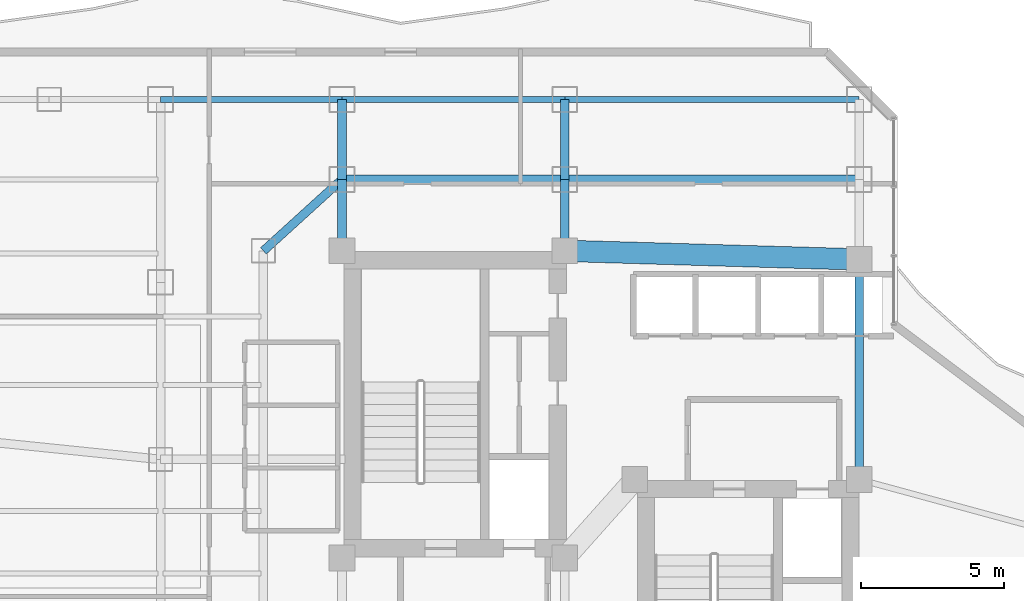
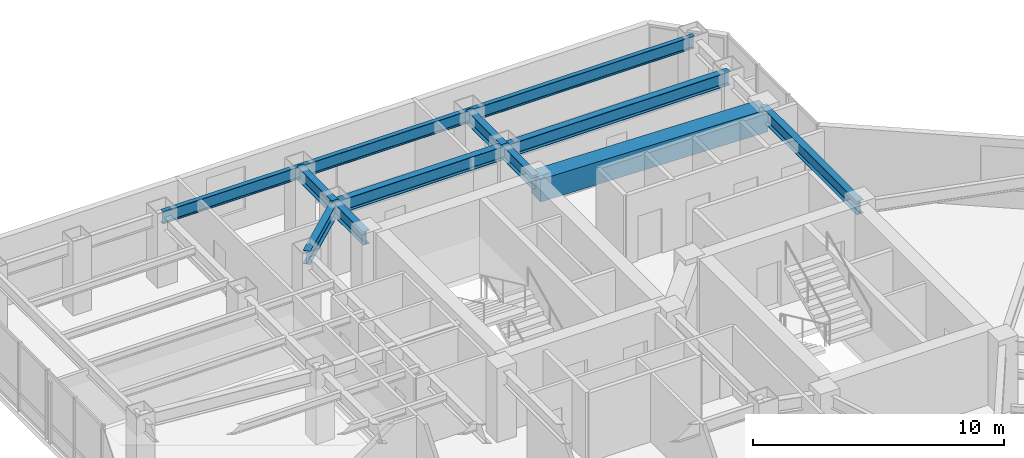
# One storey, part 18 of 29: 12 beams.
"""IFC4 building model written with IfcOpenShell, lengths in metres."""

from ifc_helpers import new_model, si_unit, direction, frame, origin, origin_2d, place, context, subcontext, project, spatial, rectangle, i_section, extrude, material, material_profile, profile_set, type_object, element, save


model = new_model("IFC4")

# Units and contexts
model_context = context("Model", 3, precision=1e-05, world=origin(), true_north=direction((0.0, 1.0)))
body_context = subcontext(model_context, "Body", "Model", "MODEL_VIEW")
ifc_project = project(units=[si_unit("LENGTHUNIT", "METRE"), si_unit("AREAUNIT", "SQUARE_METRE"), si_unit("VOLUMEUNIT", "CUBIC_METRE"), si_unit("PLANEANGLEUNIT", "RADIAN"), si_unit("MASSUNIT", "GRAM", prefix="KILO")], contexts=[model_context])

# Site, building, storey
site_placement = place(None, origin())
site = spatial("IfcSite", under=ifc_project, at=site_placement, CompositionType="ELEMENT")
building_placement = place(site_placement, origin())
building = spatial("IfcBuilding", under=site, at=building_placement, Name="Hatsunagi Terrace Concourse", CompositionType="ELEMENT")
storey_placement = place(building_placement, frame((0.0, 0.0, 108.449951171875)))
storey = spatial("IfcBuildingStorey", under=building, at=storey_placement, Name="L28", CompositionType="ELEMENT", Elevation=108.449951171875)

# Beams
ifc_material_1 = material(Name="Concrete Fc48", Category="concrete")
ifc_material_profile_1 = material_profile(ifc_material_1, rectangle(XDim=0.75, YDim=1.10009765625, at=origin_2d()), Name="RC-750x1100")
ifc_profile_set_1 = profile_set([ifc_material_profile_1], Name="Concrete Fc48")
beam_type_1 = type_object("IfcBeamType", Name="CoreCouplingBeam_RC_750x1100", PredefinedType="BEAM", material=ifc_profile_set_1)
beam_1_placement = place(storey_placement, frame((33.35009765625, 43.300048828125, 2.800048828125), z_axis=(0.999575947545, -0.029119153303, 0.0), x_axis=(0.029119153303, 0.999575947545, 0.0)))
element("IfcBeam", 1, at=beam_1_placement, inside=storey, type_object=beam_type_1, Name="Beam CB-02 CB-L28-2", PredefinedType="BEAM", context=body_context, shape_type="SweptSolid", body=[
    extrude(rectangle(XDim=0.75, YDim=1.10009765625, at=origin_2d()), origin(), (0.0, 0.0, 1.0), 10.30419921875),
])
ifc_material_2 = material(Name="Steel SN490B", Category="steel")
ifc_material_profile_2 = material_profile(ifc_material_2, i_section(OverallWidth=0.300048828125, OverallDepth=0.64990234375, WebThickness=0.012939453125, FlangeThickness=0.02197265625, FilletRadius=0.01806640625, at=origin_2d()), Name="H-650x300x13x22")
ifc_profile_set_2 = profile_set([ifc_material_profile_2], Name="Steel SN490B")
beam_type_2 = type_object("IfcBeamType", Name="OfficeLowGirder_H_650x300", PredefinedType="BEAM", material=ifc_profile_set_2)
beam_2_placement = place(storey_placement, frame((43.64990234375, 35.300048828125, 3.025146484375), z_axis=(0.0, 1.0, 0.0), x_axis=(-1.0, 0.0, 0.0)))
element("IfcBeam", 2, at=beam_2_placement, inside=storey, type_object=beam_type_2, Name="Beam G-05 BM-L28-CBK3", PredefinedType="BEAM", context=body_context, shape_type="SweptSolid", body=[
    extrude(i_section(OverallWidth=0.300048828125, OverallDepth=0.64990234375, WebThickness=0.012939453125, FlangeThickness=0.02197265625, FilletRadius=0.01806640625, at=origin_2d()), origin(), (0.0, 0.0, 1.0), 7.699951171875),
])
for number, where, z_axis, x_axis, name in (
    (3, (25.550048828125, 43.300048828125, 3.025146484375), (0.0, 1.0, 0.0), (-1.0, 0.0, 0.0), "Beam G-05 BM-L28-CN1"),
    (4, (33.35009765625, 43.300048828125, 3.025146484375), (0.0, 1.0, 0.0), (-1.0, 0.0, 0.0), "Beam G-05 BM-L28-CN2"),
):
    element("IfcBeam", number, at=place(storey_placement, frame(where, z_axis=z_axis, x_axis=x_axis)), inside=storey, type_object=beam_type_2, Name=name, PredefinedType="BEAM", context=body_context, shape_type="SweptSolid", body=[
        extrude(i_section(OverallWidth=0.300048828125, OverallDepth=0.64990234375, WebThickness=0.012939453125, FlangeThickness=0.02197265625, FilletRadius=0.01806640625, at=origin_2d()), origin(), (0.0, 0.0, 1.0), 2.5),
    ])
beam_3_placement = place(storey_placement, frame((25.550048828125, 45.800048828125, 3.025146484375), z_axis=(1.0, 0.0, 0.0), x_axis=(0.0, 1.0, 0.0)))
element("IfcBeam", 5, at=beam_3_placement, inside=storey, type_object=beam_type_2, Name="Beam G-05 BM-L28-CNEW1", PredefinedType="BEAM", context=body_context, shape_type="SweptSolid", body=[
    extrude(i_section(OverallWidth=0.300048828125, OverallDepth=0.64990234375, WebThickness=0.012939453125, FlangeThickness=0.02197265625, FilletRadius=0.01806640625, at=origin_2d()), origin(), (0.0, 0.0, 1.0), 7.800048828125),
])
beam_4_placement = place(storey_placement, frame((33.35009765625, 45.800048828125, 3.025146484375), z_axis=(1.0, 0.0, 0.0), x_axis=(0.0, 1.0, 0.0)))
element("IfcBeam", 6, at=beam_4_placement, inside=storey, type_object=beam_type_2, Name="Beam G-05 BM-L28-CNEW2", PredefinedType="BEAM", context=body_context, shape_type="SweptSolid", body=[
    extrude(i_section(OverallWidth=0.300048828125, OverallDepth=0.64990234375, WebThickness=0.012939453125, FlangeThickness=0.02197265625, FilletRadius=0.01806640625, at=origin_2d()), origin(), (0.0, 0.0, 1.0), 10.2998046875),
])
for number, where, z_axis, x_axis, name in (
    (7, (25.550048828125, 45.800048828125, 3.025146484375), (0.0, 1.0, 0.0), (-1.0, 0.0, 0.0), "Beam G-05 BM-L28-KN-WN4"),
    (8, (33.35009765625, 45.800048828125, 3.025146484375), (0.0, 1.0, 0.0), (-1.0, 0.0, 0.0), "Beam G-05 BM-L28-KN-WN5"),
):
    element("IfcBeam", number, at=place(storey_placement, frame(where, z_axis=z_axis, x_axis=x_axis)), inside=storey, type_object=beam_type_2, Name=name, PredefinedType="BEAM", context=body_context, shape_type="SweptSolid", body=[
        extrude(i_section(OverallWidth=0.300048828125, OverallDepth=0.64990234375, WebThickness=0.012939453125, FlangeThickness=0.02197265625, FilletRadius=0.01806640625, at=origin_2d()), origin(), (0.0, 0.0, 1.0), 2.800048828125),
    ])
beam_5_placement = place(storey_placement, frame((22.800048828125, 43.300048828125, 3.025146484375), z_axis=(0.739940073396, 0.672672793996, 0.0), x_axis=(-0.672672793996, 0.739940073396, 0.0)))
element("IfcBeam", 9, at=beam_5_placement, inside=storey, type_object=beam_type_2, Name="Beam G-05 BM-L28-CWEW-N", PredefinedType="BEAM", context=body_context, shape_type="SweptSolid", body=[
    extrude(i_section(OverallWidth=0.300048828125, OverallDepth=0.64990234375, WebThickness=0.012939453125, FlangeThickness=0.02197265625, FilletRadius=0.01806640625, at=origin_2d()), origin(), (0.0, 0.0, 1.0), 3.716552734375),
])
ifc_material_3 = material(Name="Steel SN490B", Category="steel")
ifc_material_profile_3 = material_profile(ifc_material_3, i_section(OverallWidth=0.199951171875, OverallDepth=0.60009765625, WebThickness=0.010986328125, FlangeThickness=0.01708984375, FilletRadius=0.01806640625, at=origin_2d()), Name="H-600x200x11x17")
ifc_profile_set_3 = profile_set([ifc_material_profile_3], Name="Steel SN490B")
beam_type_3 = type_object("IfcBeamType", Name="PerimeterSpandrel_H_600x200", PredefinedType="SPANDREL", material=ifc_profile_set_3)
beam_6_placement = place(storey_placement, frame((19.199951171875, 48.60009765625, 3.050048828125), z_axis=(1.0, 0.0, 0.0), x_axis=(0.0, 1.0, 0.0)))
element("IfcBeam", 10, at=beam_6_placement, inside=storey, type_object=beam_type_3, Name="Beam SP-01 BM-L28-WN-19", PredefinedType="SPANDREL", context=body_context, shape_type="SweptSolid", body=[
    extrude(i_section(OverallWidth=0.199951171875, OverallDepth=0.60009765625, WebThickness=0.010986328125, FlangeThickness=0.01708984375, FilletRadius=0.01806640625, at=origin_2d()), origin(), (0.0, 0.0, 1.0), 6.35009765625),
])
beam_7_placement = place(storey_placement, frame((25.550048828125, 48.60009765625, 3.050048828125), z_axis=(1.0, 0.0, 0.0), x_axis=(0.0, 1.0, 0.0)))
element("IfcBeam", 11, at=beam_7_placement, inside=storey, type_object=beam_type_3, Name="Beam SP-01 BM-L28-WN-25", PredefinedType="SPANDREL", context=body_context, shape_type="SweptSolid", body=[
    extrude(i_section(OverallWidth=0.199951171875, OverallDepth=0.60009765625, WebThickness=0.010986328125, FlangeThickness=0.01708984375, FilletRadius=0.01806640625, at=origin_2d()), origin(), (0.0, 0.0, 1.0), 7.800048828125),
])
beam_8_placement = place(storey_placement, frame((33.35009765625, 48.60009765625, 3.050048828125), z_axis=(1.0, 0.0, 0.0), x_axis=(0.0, 1.0, 0.0)))
element("IfcBeam", 12, at=beam_8_placement, inside=storey, type_object=beam_type_3, Name="Beam SP-01 BM-L28-WN-33", PredefinedType="SPANDREL", context=body_context, shape_type="SweptSolid", body=[
    extrude(i_section(OverallWidth=0.199951171875, OverallDepth=0.60009765625, WebThickness=0.010986328125, FlangeThickness=0.01708984375, FilletRadius=0.01806640625, at=origin_2d()), origin(), (0.0, 0.0, 1.0), 10.2998046875),
])

save(model, "model.ifc")
